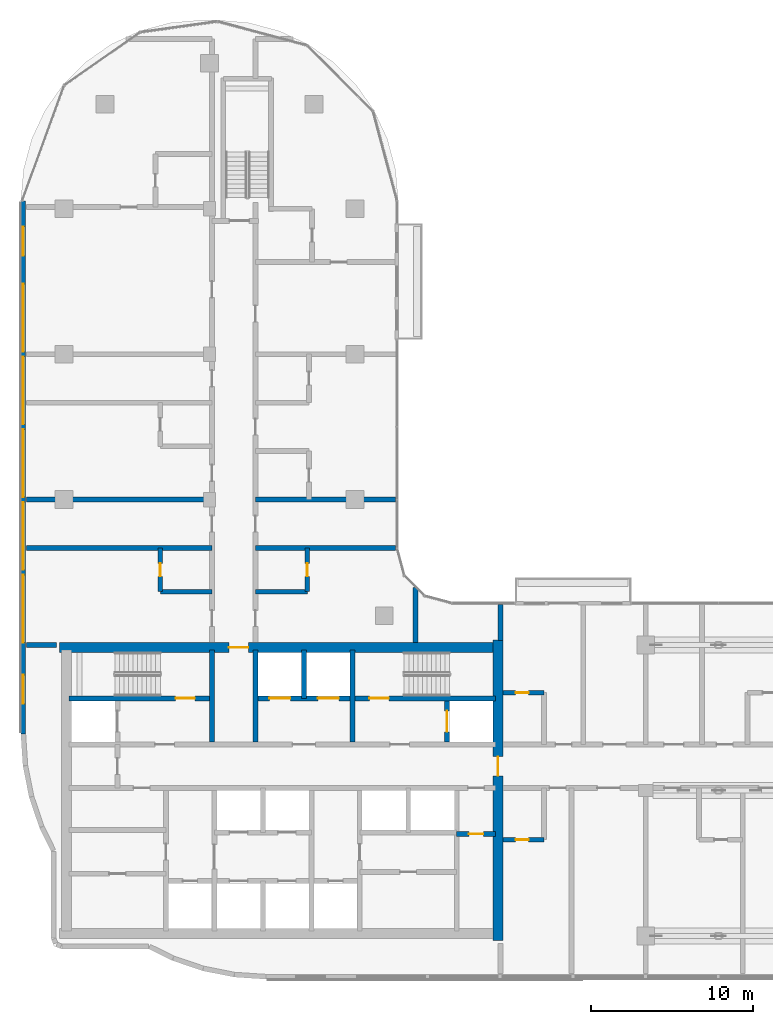
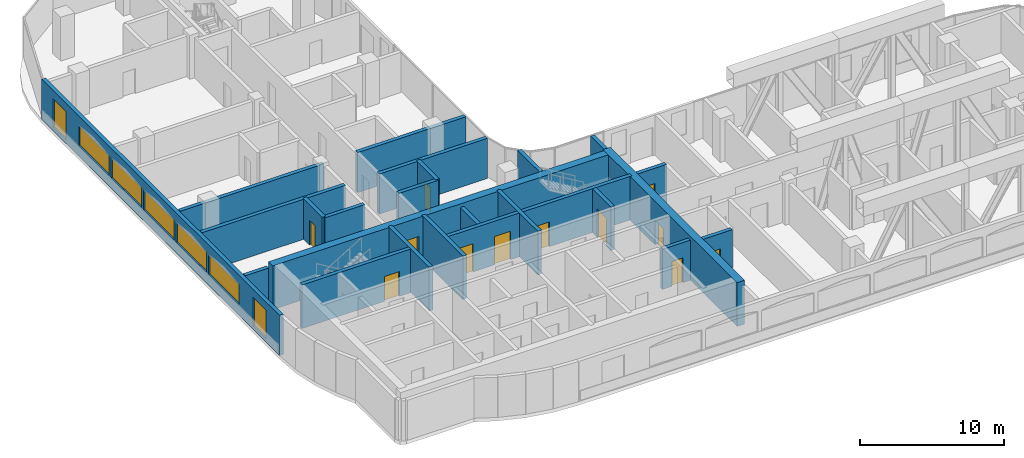
# One storey, part 10 of 25: 24 walls, 12 doors, 7 windows, 19 openings.
"""IFC4 building model written with IfcOpenShell, lengths in metres."""

from ifc_helpers import new_model, si_unit, direction, frame, frame_2d, origin, place, context, subcontext, project, spatial, rectangle, extrude, material, layer, layer_set, type_object, element, fill, save


model = new_model("IFC4")

# Units and contexts
model_context = context("Model", 3, precision=1e-05, world=origin(), true_north=direction((0.0, 1.0)))
body_context = subcontext(model_context, "Body", "Model", "MODEL_VIEW")
ifc_project = project(units=[si_unit("LENGTHUNIT", "METRE"), si_unit("AREAUNIT", "SQUARE_METRE"), si_unit("VOLUMEUNIT", "CUBIC_METRE"), si_unit("PLANEANGLEUNIT", "RADIAN"), si_unit("MASSUNIT", "GRAM", prefix="KILO")], contexts=[model_context])

# Site, building, storey
site_placement = place(None, origin())
site = spatial("IfcSite", under=ifc_project, at=site_placement, CompositionType="ELEMENT")
building_placement = place(site_placement, origin())
building = spatial("IfcBuilding", under=site, at=building_placement, Name="Ogive Portal Towers", CompositionType="ELEMENT")
storey_placement = place(building_placement, frame((0.0, 0.0, 182.89990234375)))
storey = spatial("IfcBuildingStorey", under=building, at=storey_placement, Name="L45", CompositionType="ELEMENT", Elevation=182.89990234375)

# Wall, opening, door
ifc_material_1 = material(Name="Concrete C60/75", Category="concrete")
ifc_layer_1 = layer(ifc_material_1, 0.300048828125)
ifc_layer_set_1 = layer_set([ifc_layer_1], Name="CORE WALL 300 C60")
wall_type_1 = type_object("IfcWallType", Name="CORE WALL 300 C60", PredefinedType="SHEAR", material=ifc_layer_set_1)
wall_1_placement = place(storey_placement, frame((31.800048828125, 36.199951171875, 0.0), z_axis=(0.0, 0.0, 1.0), x_axis=(1.0, 0.0, 0.0)))
wall_1 = element("IfcWall", 1, at=wall_1_placement, inside=storey, type_object=wall_type_1, Name="Core wall Y3a L45", PredefinedType="SHEAR", context=body_context, shape_type="SweptSolid", body=[
    extrude(rectangle(XDim=8.699951171875, YDim=0.300048828125, at=frame_2d((4.35009765625, 0.0))), origin(), (0.0, 0.0, 1.0), 3.7001953125),
])
opening_1_placement = place(wall_1_placement, frame((6.60009765625, 0.0, 0.0)))
opening_1 = element("IfcOpeningElement", 2, at=opening_1_placement, cuts=wall_1, Name="Opening D20-005", PredefinedType="OPENING", context=body_context, shape_type="SweptSolid", body=[
    extrude(rectangle(XDim=1.199951171875, YDim=2.10009765625, at=frame_2d((0.60009765625, 1.050048828125))), frame((0.0, 0.16015625, 0.0), z_axis=(0.0, -1.0, 0.0), x_axis=(1.0, 0.0, 0.0)), (0.0, 0.0, 1.0), 0.320068359375),
])
ifc_material_2 = material(Name="Steel fire door", Category="steel")
door_type_1 = type_object("IfcDoorType", Name="DT-SWING-1200x2100-FD90S", OperationType="SINGLE_SWING_LEFT", PredefinedType="DOOR", material=ifc_material_2)
door_1_placement = place(opening_1_placement, origin())
door_1 = element("IfcDoor", 3, at=door_1_placement, inside=storey, type_object=door_type_1, Name="Door D20-005", OperationType="SINGLE_SWING_RIGHT", OverallHeight=2.10009765625, OverallWidth=1.199951171875, PredefinedType="DOOR", context=body_context, shape_type="SweptSolid", body=[
    extrude(rectangle(XDim=1.199951171875, YDim=2.10009765625, at=frame_2d((0.60009765625, 1.050048828125))), frame((0.0, 0.02490234375, 0.0), z_axis=(0.0, -1.0, 0.0), x_axis=(1.0, 0.0, 0.0)), (0.0, 0.0, 1.0), 0.050048828125),
])
fill(opening_1, door_1)

# Wall, openings, doors
wall_2_placement = place(storey_placement, frame((43.5, 36.199951171875, 0.0), z_axis=(0.0, 0.0, 1.0), x_axis=(1.0, 0.0, 0.0)))
wall_2 = element("IfcWall", 4, at=wall_2_placement, inside=storey, type_object=wall_type_1, Name="Core wall Y3b L45", PredefinedType="SHEAR", context=body_context, shape_type="SweptSolid", body=[
    extrude(rectangle(XDim=14.699951171875, YDim=0.300048828125, at=frame_2d((7.35009765625, 0.0))), origin(), (0.0, 0.0, 1.0), 3.7001953125),
])
opening_2_placement = place(wall_2_placement, frame((6.89990234375, 0.0, 0.0)))
opening_2 = element("IfcOpeningElement", 5, at=opening_2_placement, cuts=wall_2, Name="Opening D20-006", PredefinedType="OPENING", context=body_context, shape_type="SweptSolid", body=[
    extrude(rectangle(XDim=1.199951171875, YDim=2.10009765625, at=frame_2d((0.60009765625, 1.050048828125))), frame((0.0, 0.16015625, 0.0), z_axis=(0.0, -1.0, 0.0), x_axis=(1.0, 0.0, 0.0)), (0.0, 0.0, 1.0), 0.320068359375),
])
opening_3_placement = place(wall_2_placement, frame((0.699951171875, 0.0, 0.0)))
opening_3 = element("IfcOpeningElement", 6, at=opening_3_placement, cuts=wall_2, Name="Opening D20-017", PredefinedType="OPENING", context=body_context, shape_type="SweptSolid", body=[
    extrude(rectangle(XDim=1.300048828125, YDim=2.39990234375, at=frame_2d((0.64990234375, 1.199951171875))), frame((0.0, 0.16015625, 0.0), z_axis=(0.0, -1.0, 0.0), x_axis=(1.0, 0.0, 0.0)), (0.0, 0.0, 1.0), 0.320068359375),
])
opening_4_placement = place(wall_2_placement, frame((3.699951171875, 0.0, 0.0)))
opening_4 = element("IfcOpeningElement", 7, at=opening_4_placement, cuts=wall_2, Name="Opening D20-018", PredefinedType="OPENING", context=body_context, shape_type="SweptSolid", body=[
    extrude(rectangle(XDim=1.300048828125, YDim=2.39990234375, at=frame_2d((0.64990234375, 1.199951171875))), frame((0.0, 0.16015625, 0.0), z_axis=(0.0, -1.0, 0.0), x_axis=(1.0, 0.0, 0.0)), (0.0, 0.0, 1.0), 0.320068359375),
])
ifc_material_3 = material(Name="Stainless steel", Category="steel")
door_type_2 = type_object("IfcDoorType", Name="DT-LD-1300x2400", OperationType="SLIDING_TO_LEFT", PredefinedType="DOOR", material=ifc_material_3)
door_2_placement = place(opening_3_placement, origin())
door_2 = element("IfcDoor", 8, at=door_2_placement, inside=storey, type_object=door_type_2, Name="Door D20-017", OperationType="SLIDING_TO_LEFT", OverallHeight=2.39990234375, OverallWidth=1.300048828125, PredefinedType="DOOR", context=body_context, shape_type="SweptSolid", body=[
    extrude(rectangle(XDim=1.300048828125, YDim=2.39990234375, at=frame_2d((0.64990234375, 1.199951171875))), frame((0.0, 0.02490234375, 0.0), z_axis=(0.0, -1.0, 0.0), x_axis=(1.0, 0.0, 0.0)), (0.0, 0.0, 1.0), 0.050048828125),
])
fill(opening_3, door_2)
door_3_placement = place(opening_4_placement, origin())
door_3 = element("IfcDoor", 9, at=door_3_placement, inside=storey, type_object=door_type_2, Name="Door D20-018", OperationType="SLIDING_TO_LEFT", OverallHeight=2.39990234375, OverallWidth=1.300048828125, PredefinedType="DOOR", context=body_context, shape_type="SweptSolid", body=[
    extrude(rectangle(XDim=1.300048828125, YDim=2.39990234375, at=frame_2d((0.64990234375, 1.199951171875))), frame((0.0, 0.02490234375, 0.0), z_axis=(0.0, -1.0, 0.0), x_axis=(1.0, 0.0, 0.0)), (0.0, 0.0, 1.0), 0.050048828125),
])
fill(opening_4, door_3)
door_4_placement = place(opening_2_placement, origin())
door_4 = element("IfcDoor", 10, at=door_4_placement, inside=storey, type_object=door_type_1, Name="Door D20-006", OperationType="SINGLE_SWING_LEFT", OverallHeight=2.10009765625, OverallWidth=1.199951171875, PredefinedType="DOOR", context=body_context, shape_type="SweptSolid", body=[
    extrude(rectangle(XDim=1.199951171875, YDim=2.10009765625, at=frame_2d((0.60009765625, 1.050048828125))), frame((0.0, 0.02490234375, 0.0), z_axis=(0.0, -1.0, 0.0), x_axis=(1.0, 0.0, 0.0)), (0.0, 0.0, 1.0), 0.050048828125),
])
fill(opening_2, door_4)

# Walls
for number, where, z_axis, x_axis, name in (
    (11, (40.64990234375, 33.5, 0.0), (0.0, 0.0, 1.0), (0.0, 1.0, 0.0), "Core wall X6 L45"),
    (12, (43.35009765625, 33.5, 0.0), (0.0, 0.0, 1.0), (0.0, 1.0, 0.0), "Core wall X7 L45"),
    (13, (49.35009765625, 33.5, 0.0), (0.0, 0.0, 1.0), (0.0, 1.0, 0.0), "Core wall X9 L45"),
):
    element("IfcWall", number, at=place(storey_placement, frame(where, z_axis=z_axis, x_axis=x_axis)), inside=storey, type_object=wall_type_1, Name=name, PredefinedType="SHEAR", context=body_context, shape_type="SweptSolid", body=[
        extrude(rectangle(XDim=5.699951171875, YDim=0.300048828125, at=frame_2d((2.85009765625, 0.0))), origin(), (0.0, 0.0, 1.0), 3.7001953125),
    ])

# Wall, opening, door
wall_3_placement = place(storey_placement, frame((55.199951171875, 33.5, 0.0), z_axis=(0.0, 0.0, 1.0), x_axis=(0.0, 1.0, 0.0)))
wall_3 = element("IfcWall", 14, at=wall_3_placement, inside=storey, type_object=wall_type_1, Name="Core wall X10 L45", PredefinedType="SHEAR", context=body_context, shape_type="SweptSolid", body=[
    extrude(rectangle(XDim=2.550048828125, YDim=0.300048828125, at=frame_2d((1.27490234375, 0.0))), origin(), (0.0, 0.0, 1.0), 3.7001953125),
])
opening_5_placement = place(wall_3_placement, frame((0.625, 0.0, 0.0)))
opening_5 = element("IfcOpeningElement", 15, at=opening_5_placement, cuts=wall_3, Name="Opening D20-020", PredefinedType="OPENING", context=body_context, shape_type="SweptSolid", body=[
    extrude(rectangle(XDim=1.300048828125, YDim=2.39990234375, at=frame_2d((0.64990234375, 1.199951171875))), frame((0.0, 0.16015625, 0.0), z_axis=(0.0, -1.0, 0.0), x_axis=(1.0, 0.0, 0.0)), (0.0, 0.0, 1.0), 0.320068359375),
])
door_5_placement = place(opening_5_placement, origin())
door_5 = element("IfcDoor", 16, at=door_5_placement, inside=storey, type_object=door_type_2, Name="Door D20-020", OperationType="SLIDING_TO_LEFT", OverallHeight=2.39990234375, OverallWidth=1.300048828125, PredefinedType="DOOR", context=body_context, shape_type="SweptSolid", body=[
    extrude(rectangle(XDim=1.300048828125, YDim=2.39990234375, at=frame_2d((0.64990234375, 1.199951171875))), frame((0.0, 0.02490234375, 0.0), z_axis=(0.0, -1.0, 0.0), x_axis=(1.0, 0.0, 0.0)), (0.0, 0.0, 1.0), 0.050048828125),
])
fill(opening_5, door_5)

ifc_layer_2 = layer(ifc_material_1, 0.60009765625)
ifc_layer_set_2 = layer_set([ifc_layer_2], Name="CORE WALL 600 C60")
wall_type_2 = type_object("IfcWallType", Name="CORE WALL 600 C60", PredefinedType="SHEAR", material=ifc_layer_set_2)
wall_4_placement = place(storey_placement, frame((58.35009765625, 21.199951171875, 0.0), z_axis=(0.0, 0.0, 1.0), x_axis=(0.0, 1.0, 0.0)))
wall_4 = element("IfcWall", 17, at=wall_4_placement, inside=storey, type_object=wall_type_2, Name="Core wall E L45", PredefinedType="SHEAR", context=body_context, shape_type="SweptSolid", body=[
    extrude(rectangle(XDim=18.60009765625, YDim=0.60009765625, at=frame_2d((9.300048828125, 0.0))), origin(), (0.0, 0.0, 1.0), 3.7001953125),
])
opening_6_placement = place(wall_4_placement, frame((10.199951171875, 0.0, 0.0)))
opening_6 = element("IfcOpeningElement", 18, at=opening_6_placement, cuts=wall_4, Name="Opening D20-011", PredefinedType="OPENING", context=body_context, shape_type="SweptSolid", body=[
    extrude(rectangle(XDim=1.199951171875, YDim=2.10009765625, at=frame_2d((0.60009765625, 1.050048828125))), frame((0.0, 0.31005859375, 0.0), z_axis=(0.0, -1.0, 0.0), x_axis=(1.0, 0.0, 0.0)), (0.0, 0.0, 1.0), 0.6201171875),
])
door_6_placement = place(opening_6_placement, origin())
door_6 = element("IfcDoor", 19, at=door_6_placement, inside=storey, type_object=door_type_1, Name="Door D20-011", OperationType="SINGLE_SWING_LEFT", OverallHeight=2.10009765625, OverallWidth=1.199951171875, PredefinedType="DOOR", context=body_context, shape_type="SweptSolid", body=[
    extrude(rectangle(XDim=1.199951171875, YDim=2.10009765625, at=frame_2d((0.60009765625, 1.050048828125))), frame((0.0, 0.02490234375, 0.0), z_axis=(0.0, -1.0, 0.0), x_axis=(1.0, 0.0, 0.0)), (0.0, 0.0, 1.0), 0.050048828125),
])
fill(opening_6, door_6)

wall_5_placement = place(storey_placement, frame((31.199951171875, 39.35009765625, 0.0), z_axis=(0.0, 0.0, 1.0), x_axis=(1.0, 0.0, 0.0)))
wall_5 = element("IfcWall", 20, at=wall_5_placement, inside=storey, type_object=wall_type_2, Name="Core wall N L45", PredefinedType="SHEAR", context=body_context, shape_type="SweptSolid", body=[
    extrude(rectangle(XDim=27.0, YDim=0.60009765625, at=frame_2d((13.5, 0.0))), origin(), (0.0, 0.0, 1.0), 3.7001953125),
])
opening_7_placement = place(wall_5_placement, frame((10.5, 0.0, 0.0)))
opening_7 = element("IfcOpeningElement", 21, at=opening_7_placement, cuts=wall_5, Name="Opening D20-012", PredefinedType="OPENING", context=body_context, shape_type="SweptSolid", body=[
    extrude(rectangle(XDim=1.199951171875, YDim=2.10009765625, at=frame_2d((0.60009765625, 1.050048828125))), frame((0.0, 0.31005859375, 0.0), z_axis=(0.0, -1.0, 0.0), x_axis=(1.0, 0.0, 0.0)), (0.0, 0.0, 1.0), 0.6201171875),
])
door_7_placement = place(opening_7_placement, origin())
door_7 = element("IfcDoor", 22, at=door_7_placement, inside=storey, type_object=door_type_1, Name="Door D20-012", OperationType="SINGLE_SWING_RIGHT", OverallHeight=2.10009765625, OverallWidth=1.199951171875, PredefinedType="DOOR", context=body_context, shape_type="SweptSolid", body=[
    extrude(rectangle(XDim=1.199951171875, YDim=2.10009765625, at=frame_2d((0.60009765625, 1.050048828125))), frame((0.0, 0.02490234375, 0.0), z_axis=(0.0, -1.0, 0.0), x_axis=(1.0, 0.0, 0.0)), (0.0, 0.0, 1.0), 0.050048828125),
])
fill(opening_7, door_7)

# Wall, openings, windows
ifc_material_4 = material(Name="Limestone cladding on lightweight block wall", Category="masonry")
ifc_layer_3 = layer(ifc_material_4, 0.300048828125)
ifc_layer_set_3 = layer_set([ifc_layer_3], Name="EXTERNAL WALL 300 STONE")
wall_type_3 = type_object("IfcWallType", Name="EXTERNAL WALL 300 STONE", PredefinedType="SOLIDWALL", material=ifc_layer_set_3)
wall_6_placement = place(storey_placement, frame((28.969970703125, 66.98583984375, 0.0), z_axis=(0.0, 0.0, 1.0), x_axis=(0.0, -1.0, 0.0)))
wall_6 = element("IfcWall", 23, at=wall_6_placement, inside=storey, type_object=wall_type_3, Name="A:L45:f27:r0:wall", PredefinedType="SOLIDWALL", context=body_context, shape_type="SweptSolid", body=[
    extrude(rectangle(XDim=32.97607421875, YDim=0.300048828125, at=frame_2d((16.488037109375, 0.0))), origin(), (0.0, 0.0, 1.0), 3.400146484375),
])
opening_8_placement = place(wall_6_placement, frame((1.593017578125, 0.0, 0.300048828125)))
opening_8 = element("IfcOpeningElement", 24, at=opening_8_placement, cuts=wall_6, Name="Opening WN10", PredefinedType="OPENING", context=body_context, shape_type="SweptSolid", body=[
    extrude(rectangle(XDim=1.800048828125, YDim=2.39990234375, at=frame_2d((0.89990234375, 1.199951171875))), frame((0.0, 0.16015625, 0.0), z_axis=(0.0, -1.0, 0.0), x_axis=(1.0, 0.0, 0.0)), (0.0, 0.0, 1.0), 0.320068359375),
])
opening_9_placement = place(wall_6_placement, frame((5.135986328125, 0.0, 0.89990234375)))
opening_9 = element("IfcOpeningElement", 25, at=opening_9_placement, cuts=wall_6, Name="Opening WN13", PredefinedType="OPENING", context=body_context, shape_type="SweptSolid", body=[
    extrude(rectangle(XDim=4.199951171875, YDim=1.699951171875, at=frame_2d((2.10009765625, 0.85009765625))), frame((0.0, 0.16015625, 0.0), z_axis=(0.0, -1.0, 0.0), x_axis=(1.0, 0.0, 0.0)), (0.0, 0.0, 1.0), 0.320068359375),
])
opening_10_placement = place(wall_6_placement, frame((9.635986328125, 0.0, 0.89990234375)))
opening_10 = element("IfcOpeningElement", 26, at=opening_10_placement, cuts=wall_6, Name="Opening WN13", PredefinedType="OPENING", context=body_context, shape_type="SweptSolid", body=[
    extrude(rectangle(XDim=4.199951171875, YDim=1.699951171875, at=frame_2d((2.10009765625, 0.85009765625))), frame((0.0, 0.16015625, 0.0), z_axis=(0.0, -1.0, 0.0), x_axis=(1.0, 0.0, 0.0)), (0.0, 0.0, 1.0), 0.320068359375),
])
opening_11_placement = place(wall_6_placement, frame((14.135986328125, 0.0, 0.89990234375)))
opening_11 = element("IfcOpeningElement", 27, at=opening_11_placement, cuts=wall_6, Name="Opening WN13", PredefinedType="OPENING", context=body_context, shape_type="SweptSolid", body=[
    extrude(rectangle(XDim=4.199951171875, YDim=1.699951171875, at=frame_2d((2.10009765625, 0.85009765625))), frame((0.0, 0.16015625, 0.0), z_axis=(0.0, -1.0, 0.0), x_axis=(1.0, 0.0, 0.0)), (0.0, 0.0, 1.0), 0.320068359375),
])
opening_12_placement = place(wall_6_placement, frame((18.635986328125, 0.0, 0.89990234375)))
opening_12 = element("IfcOpeningElement", 28, at=opening_12_placement, cuts=wall_6, Name="Opening WN13", PredefinedType="OPENING", context=body_context, shape_type="SweptSolid", body=[
    extrude(rectangle(XDim=4.199951171875, YDim=1.699951171875, at=frame_2d((2.10009765625, 0.85009765625))), frame((0.0, 0.16015625, 0.0), z_axis=(0.0, -1.0, 0.0), x_axis=(1.0, 0.0, 0.0)), (0.0, 0.0, 1.0), 0.320068359375),
])
opening_13_placement = place(wall_6_placement, frame((23.135986328125, 0.0, 0.89990234375)))
opening_13 = element("IfcOpeningElement", 29, at=opening_13_placement, cuts=wall_6, Name="Opening WN13", PredefinedType="OPENING", context=body_context, shape_type="SweptSolid", body=[
    extrude(rectangle(XDim=4.199951171875, YDim=1.699951171875, at=frame_2d((2.10009765625, 0.85009765625))), frame((0.0, 0.16015625, 0.0), z_axis=(0.0, -1.0, 0.0), x_axis=(1.0, 0.0, 0.0)), (0.0, 0.0, 1.0), 0.320068359375),
])
opening_14_placement = place(wall_6_placement, frame((29.3310546875, 0.0, 0.300048828125)))
opening_14 = element("IfcOpeningElement", 30, at=opening_14_placement, cuts=wall_6, Name="Opening WN10", PredefinedType="OPENING", context=body_context, shape_type="SweptSolid", body=[
    extrude(rectangle(XDim=1.800048828125, YDim=2.39990234375, at=frame_2d((0.89990234375, 1.199951171875))), frame((0.0, 0.16015625, 0.0), z_axis=(0.0, -1.0, 0.0), x_axis=(1.0, 0.0, 0.0)), (0.0, 0.0, 1.0), 0.320068359375),
])
ifc_material_5 = material(Name="Glass, clear low-iron insulated glazing", Category="glass")
window_type_1 = type_object("IfcWindowType", Name="WINDOW RIBBON LANCET 4200x1700", PartitioningType="TRIPLE_PANEL_VERTICAL", PredefinedType="WINDOW", material=ifc_material_5)
window_1_placement = place(opening_9_placement, origin())
window_1 = element("IfcWindow", 31, at=window_1_placement, inside=storey, type_object=window_type_1, Name="A:L45:f27:r0:w1", OverallHeight=1.699951171875, OverallWidth=4.199951171875, PartitioningType="SINGLE_PANEL", PredefinedType="WINDOW", context=body_context, shape_type="SweptSolid", body=[
    extrude(rectangle(XDim=4.199951171875, YDim=1.699951171875, at=frame_2d((2.10009765625, 0.85009765625))), frame((0.0, 0.030029296875, 0.0), z_axis=(0.0, -1.0, 0.0), x_axis=(1.0, 0.0, 0.0)), (0.0, 0.0, 1.0), 0.06005859375),
])
fill(opening_9, window_1)
window_2_placement = place(opening_10_placement, origin())
window_2 = element("IfcWindow", 32, at=window_2_placement, inside=storey, type_object=window_type_1, Name="A:L45:f27:r0:w2", OverallHeight=1.699951171875, OverallWidth=4.199951171875, PartitioningType="SINGLE_PANEL", PredefinedType="WINDOW", context=body_context, shape_type="SweptSolid", body=[
    extrude(rectangle(XDim=4.199951171875, YDim=1.699951171875, at=frame_2d((2.10009765625, 0.85009765625))), frame((0.0, 0.030029296875, 0.0), z_axis=(0.0, -1.0, 0.0), x_axis=(1.0, 0.0, 0.0)), (0.0, 0.0, 1.0), 0.06005859375),
])
fill(opening_10, window_2)
window_3_placement = place(opening_11_placement, origin())
window_3 = element("IfcWindow", 33, at=window_3_placement, inside=storey, type_object=window_type_1, Name="A:L45:f27:r0:w3", OverallHeight=1.699951171875, OverallWidth=4.199951171875, PartitioningType="SINGLE_PANEL", PredefinedType="WINDOW", context=body_context, shape_type="SweptSolid", body=[
    extrude(rectangle(XDim=4.199951171875, YDim=1.699951171875, at=frame_2d((2.10009765625, 0.85009765625))), frame((0.0, 0.030029296875, 0.0), z_axis=(0.0, -1.0, 0.0), x_axis=(1.0, 0.0, 0.0)), (0.0, 0.0, 1.0), 0.06005859375),
])
fill(opening_11, window_3)
window_4_placement = place(opening_12_placement, origin())
window_4 = element("IfcWindow", 34, at=window_4_placement, inside=storey, type_object=window_type_1, Name="A:L45:f27:r0:w4", OverallHeight=1.699951171875, OverallWidth=4.199951171875, PartitioningType="SINGLE_PANEL", PredefinedType="WINDOW", context=body_context, shape_type="SweptSolid", body=[
    extrude(rectangle(XDim=4.199951171875, YDim=1.699951171875, at=frame_2d((2.10009765625, 0.85009765625))), frame((0.0, 0.030029296875, 0.0), z_axis=(0.0, -1.0, 0.0), x_axis=(1.0, 0.0, 0.0)), (0.0, 0.0, 1.0), 0.06005859375),
])
fill(opening_12, window_4)
window_5_placement = place(opening_13_placement, origin())
window_5 = element("IfcWindow", 35, at=window_5_placement, inside=storey, type_object=window_type_1, Name="A:L45:f27:r0:w5", OverallHeight=1.699951171875, OverallWidth=4.199951171875, PartitioningType="SINGLE_PANEL", PredefinedType="WINDOW", context=body_context, shape_type="SweptSolid", body=[
    extrude(rectangle(XDim=4.199951171875, YDim=1.699951171875, at=frame_2d((2.10009765625, 0.85009765625))), frame((0.0, 0.030029296875, 0.0), z_axis=(0.0, -1.0, 0.0), x_axis=(1.0, 0.0, 0.0)), (0.0, 0.0, 1.0), 0.06005859375),
])
fill(opening_13, window_5)
window_type_2 = type_object("IfcWindowType", Name="WINDOW SUITE CORNER 1800x2400", PartitioningType="DOUBLE_PANEL_VERTICAL", PredefinedType="WINDOW", material=ifc_material_5)
window_6_placement = place(opening_8_placement, origin())
window_6 = element("IfcWindow", 36, at=window_6_placement, inside=storey, type_object=window_type_2, Name="A:L45:f27:r0:w0", OverallHeight=2.39990234375, OverallWidth=1.800048828125, PartitioningType="SINGLE_PANEL", PredefinedType="WINDOW", context=body_context, shape_type="SweptSolid", body=[
    extrude(rectangle(XDim=1.800048828125, YDim=2.39990234375, at=frame_2d((0.89990234375, 1.199951171875))), frame((0.0, 0.030029296875, 0.0), z_axis=(0.0, -1.0, 0.0), x_axis=(1.0, 0.0, 0.0)), (0.0, 0.0, 1.0), 0.06005859375),
])
fill(opening_8, window_6)
window_7_placement = place(opening_14_placement, origin())
window_7 = element("IfcWindow", 37, at=window_7_placement, inside=storey, type_object=window_type_2, Name="A:L45:f27:r0:w6", OverallHeight=2.39990234375, OverallWidth=1.800048828125, PartitioningType="SINGLE_PANEL", PredefinedType="WINDOW", context=body_context, shape_type="SweptSolid", body=[
    extrude(rectangle(XDim=1.800048828125, YDim=2.39990234375, at=frame_2d((0.89990234375, 1.199951171875))), frame((0.0, 0.030029296875, 0.0), z_axis=(0.0, -1.0, 0.0), x_axis=(1.0, 0.0, 0.0)), (0.0, 0.0, 1.0), 0.06005859375),
])
fill(opening_14, window_7)

# Wall, opening, door
ifc_material_6 = material(Name="Gypsum board partition on steel studs", Category="steel")
ifc_layer_4 = layer(ifc_material_6, 0.300048828125)
ifc_layer_set_4 = layer_set([ifc_layer_4], Name="WT-PART-300")
wall_type_4 = type_object("IfcWallType", Name="WT-PART-300", PredefinedType="PARTITIONING", material=ifc_layer_set_4)
wall_7_placement = place(storey_placement, frame((55.800048828125, 27.800048828125, 0.0), z_axis=(0.0, 0.0, 1.0), x_axis=(1.0, 0.0, 0.0)))
wall_7 = element("IfcWall", 38, at=wall_7_placement, inside=storey, type_object=wall_type_4, Name="Wall pw:004:L45", PredefinedType="PARTITIONING", context=body_context, shape_type="SweptSolid", body=[
    extrude(rectangle(XDim=2.39990234375, YDim=0.300048828125, at=frame_2d((1.199951171875, 0.0))), origin(), (0.0, 0.0, 1.0), 3.400146484375),
])
opening_15_placement = place(wall_7_placement, frame((0.75, 0.0, 0.0)))
opening_15 = element("IfcOpeningElement", 39, at=opening_15_placement, cuts=wall_7, Name="Opening D20-010", PredefinedType="OPENING", context=body_context, shape_type="SweptSolid", body=[
    extrude(rectangle(XDim=0.89990234375, YDim=2.10009765625, at=frame_2d((0.449951171875, 1.050048828125))), frame((0.0, 0.16015625, 0.0), z_axis=(0.0, -1.0, 0.0), x_axis=(1.0, 0.0, 0.0)), (0.0, 0.0, 1.0), 0.320068359375),
])
door_type_3 = type_object("IfcDoorType", Name="DT-SWING-900x2100-FD60S", OperationType="SINGLE_SWING_LEFT", PredefinedType="DOOR", material=ifc_material_2)
door_8_placement = place(opening_15_placement, origin())
door_8 = element("IfcDoor", 40, at=door_8_placement, inside=storey, type_object=door_type_3, Name="Door D20-010", OperationType="SINGLE_SWING_RIGHT", OverallHeight=2.10009765625, OverallWidth=0.89990234375, PredefinedType="DOOR", context=body_context, shape_type="SweptSolid", body=[
    extrude(rectangle(XDim=0.89990234375, YDim=2.10009765625, at=frame_2d((0.449951171875, 1.050048828125))), frame((0.0, 0.02490234375, 0.0), z_axis=(0.0, -1.0, 0.0), x_axis=(1.0, 0.0, 0.0)), (0.0, 0.0, 1.0), 0.050048828125),
])
fill(opening_15, door_8)

ifc_layer_5 = layer(ifc_material_6, 0.300048828125)
ifc_layer_set_5 = layer_set([ifc_layer_5], Name="WT-PART-300-EI 60")
wall_type_5 = type_object("IfcWallType", Name="WT-PART-300-EI 60", PredefinedType="PARTITIONING", material=ifc_layer_set_5)
wall_8_placement = place(storey_placement, frame((58.64990234375, 27.449951171875, 0.0), z_axis=(0.0, 0.0, 1.0), x_axis=(1.0, 0.0, 0.0)))
wall_8 = element("IfcWall", 41, at=wall_8_placement, inside=storey, type_object=wall_type_5, Name="Wall L45:w003", PredefinedType="PARTITIONING", context=body_context, shape_type="SweptSolid", body=[
    extrude(rectangle(XDim=2.550048828125, YDim=0.300048828125, at=frame_2d((1.27490234375, 0.0))), origin(), (0.0, 0.0, 1.0), 3.400146484375),
])
opening_16_placement = place(wall_8_placement, frame((0.800048828125, 0.0, 0.0)))
opening_16 = element("IfcOpeningElement", 42, at=opening_16_placement, cuts=wall_8, Name="Opening D20-030", PredefinedType="OPENING", context=body_context, shape_type="SweptSolid", body=[
    extrude(rectangle(XDim=0.800048828125, YDim=2.10009765625, at=frame_2d((0.39990234375, 1.050048828125))), frame((0.0, 0.16015625, 0.0), z_axis=(0.0, -1.0, 0.0), x_axis=(1.0, 0.0, 0.0)), (0.0, 0.0, 1.0), 0.320068359375),
])
door_type_4 = type_object("IfcDoorType", Name="DT-BATH-800x2100-FD60S", OperationType="SINGLE_SWING_LEFT", PredefinedType="DOOR", material=ifc_material_2)
door_9_placement = place(opening_16_placement, origin())
door_9 = element("IfcDoor", 43, at=door_9_placement, inside=storey, type_object=door_type_4, Name="Door D20-030", OperationType="SINGLE_SWING_LEFT", OverallHeight=2.10009765625, OverallWidth=0.800048828125, PredefinedType="DOOR", context=body_context, shape_type="SweptSolid", body=[
    extrude(rectangle(XDim=0.800048828125, YDim=2.10009765625, at=frame_2d((0.39990234375, 1.050048828125))), frame((0.0, 0.02490234375, 0.0), z_axis=(0.0, -1.0, 0.0), x_axis=(1.0, 0.0, 0.0)), (0.0, 0.0, 1.0), 0.050048828125),
])
fill(opening_16, door_9)

wall_9_placement = place(storey_placement, frame((58.64990234375, 36.550048828125, 0.0), z_axis=(0.0, 0.0, 1.0), x_axis=(1.0, 0.0, 0.0)))
wall_9 = element("IfcWall", 44, at=wall_9_placement, inside=storey, type_object=wall_type_5, Name="Wall L45:w009", PredefinedType="PARTITIONING", context=body_context, shape_type="SweptSolid", body=[
    extrude(rectangle(XDim=2.550048828125, YDim=0.300048828125, at=frame_2d((1.27490234375, 0.0))), origin(), (0.0, 0.0, 1.0), 3.400146484375),
])
opening_17_placement = place(wall_9_placement, frame((0.800048828125, 0.0, 0.0)))
opening_17 = element("IfcOpeningElement", 45, at=opening_17_placement, cuts=wall_9, Name="Opening D20-027", PredefinedType="OPENING", context=body_context, shape_type="SweptSolid", body=[
    extrude(rectangle(XDim=0.800048828125, YDim=2.10009765625, at=frame_2d((0.39990234375, 1.050048828125))), frame((0.0, 0.16015625, 0.0), z_axis=(0.0, -1.0, 0.0), x_axis=(1.0, 0.0, 0.0)), (0.0, 0.0, 1.0), 0.320068359375),
])
door_10_placement = place(opening_17_placement, origin())
door_10 = element("IfcDoor", 46, at=door_10_placement, inside=storey, type_object=door_type_4, Name="Door D20-027", OperationType="SINGLE_SWING_LEFT", OverallHeight=2.10009765625, OverallWidth=0.800048828125, PredefinedType="DOOR", context=body_context, shape_type="SweptSolid", body=[
    extrude(rectangle(XDim=0.800048828125, YDim=2.10009765625, at=frame_2d((0.39990234375, 1.050048828125))), frame((0.0, 0.02490234375, 0.0), z_axis=(0.0, -1.0, 0.0), x_axis=(1.0, 0.0, 0.0)), (0.0, 0.0, 1.0), 0.050048828125),
])
fill(opening_17, door_10)

# Walls
wall_10_placement = place(storey_placement, frame((29.169921875, 39.5, 0.0), z_axis=(0.0, 0.0, 1.0), x_axis=(1.0, 0.0, 0.0)))
element("IfcWall", 47, at=wall_10_placement, inside=storey, type_object=wall_type_5, Name="Wall L45:w012", PredefinedType="PARTITIONING", context=body_context, shape_type="SweptSolid", body=[
    extrude(rectangle(XDim=1.860107421875, YDim=0.300048828125, at=frame_2d((0.93017578125, 0.0))), origin(), (0.0, 0.0, 1.0), 3.400146484375),
])
for number, where, z_axis, x_axis, name in (
    (48, (37.449951171875, 42.800048828125, 0.0), (0.0, 0.0, 1.0), (1.0, 0.0, 0.0), "Wall L45:w014"),
    (49, (43.35009765625, 42.800048828125, 0.0), (0.0, 0.0, 1.0), (1.0, 0.0, 0.0), "Wall L45:w015"),
):
    element("IfcWall", number, at=place(storey_placement, frame(where, z_axis=z_axis, x_axis=x_axis)), inside=storey, type_object=wall_type_5, Name=name, PredefinedType="PARTITIONING", context=body_context, shape_type="SweptSolid", body=[
        extrude(rectangle(XDim=3.199951171875, YDim=0.300048828125, at=frame_2d((1.60009765625, 0.0))), origin(), (0.0, 0.0, 1.0), 3.400146484375),
    ])
wall_11_placement = place(storey_placement, frame((29.169921875, 45.5, 0.0), z_axis=(0.0, 0.0, 1.0), x_axis=(1.0, 0.0, 0.0)))
element("IfcWall", 50, at=wall_11_placement, inside=storey, type_object=wall_type_5, Name="Wall L45:w016", PredefinedType="PARTITIONING", context=body_context, shape_type="SweptSolid", body=[
    extrude(rectangle(XDim=11.47998046875, YDim=0.300048828125, at=frame_2d((5.739990234375, 0.0))), origin(), (0.0, 0.0, 1.0), 3.400146484375),
])
wall_12_placement = place(storey_placement, frame((43.35009765625, 45.5, 0.0), z_axis=(0.0, 0.0, 1.0), x_axis=(1.0, 0.0, 0.0)))
element("IfcWall", 51, at=wall_12_placement, inside=storey, type_object=wall_type_5, Name="Wall L45:w017", PredefinedType="PARTITIONING", context=body_context, shape_type="SweptSolid", body=[
    extrude(rectangle(XDim=8.659912109375, YDim=0.300048828125, at=frame_2d((4.330078125, 0.0))), origin(), (0.0, 0.0, 1.0), 3.400146484375),
])
wall_13_placement = place(storey_placement, frame((29.169921875, 48.5, 0.0), z_axis=(0.0, 0.0, 1.0), x_axis=(1.0, 0.0, 0.0)))
element("IfcWall", 52, at=wall_13_placement, inside=storey, type_object=wall_type_5, Name="Wall L45:w018", PredefinedType="PARTITIONING", context=body_context, shape_type="SweptSolid", body=[
    extrude(rectangle(XDim=11.47998046875, YDim=0.300048828125, at=frame_2d((5.739990234375, 0.0))), origin(), (0.0, 0.0, 1.0), 3.400146484375),
])
wall_14_placement = place(storey_placement, frame((43.35009765625, 48.5, 0.0), z_axis=(0.0, 0.0, 1.0), x_axis=(1.0, 0.0, 0.0)))
element("IfcWall", 53, at=wall_14_placement, inside=storey, type_object=wall_type_5, Name="Wall L45:w019", PredefinedType="PARTITIONING", context=body_context, shape_type="SweptSolid", body=[
    extrude(rectangle(XDim=8.659912109375, YDim=0.300048828125, at=frame_2d((4.330078125, 0.0))), origin(), (0.0, 0.0, 1.0), 3.400146484375),
])

# Wall, opening, door
wall_15_placement = place(storey_placement, frame((37.449951171875, 42.800048828125, 0.0), z_axis=(0.0, 0.0, 1.0), x_axis=(0.0, 1.0, 0.0)))
wall_15 = element("IfcWall", 54, at=wall_15_placement, inside=storey, type_object=wall_type_5, Name="Wall L45:w035", PredefinedType="PARTITIONING", context=body_context, shape_type="SweptSolid", body=[
    extrude(rectangle(XDim=2.699951171875, YDim=0.300048828125, at=frame_2d((1.35009765625, 0.0))), origin(), (0.0, 0.0, 1.0), 3.400146484375),
])
opening_18_placement = place(wall_15_placement, frame((0.949951171875, 0.0, 0.0)))
opening_18 = element("IfcOpeningElement", 55, at=opening_18_placement, cuts=wall_15, Name="Opening D20-046", PredefinedType="OPENING", context=body_context, shape_type="SweptSolid", body=[
    extrude(rectangle(XDim=0.800048828125, YDim=2.10009765625, at=frame_2d((0.39990234375, 1.050048828125))), frame((0.0, 0.16015625, 0.0), z_axis=(0.0, -1.0, 0.0), x_axis=(1.0, 0.0, 0.0)), (0.0, 0.0, 1.0), 0.320068359375),
])
door_11_placement = place(opening_18_placement, origin())
door_11 = element("IfcDoor", 56, at=door_11_placement, inside=storey, type_object=door_type_4, Name="Door D20-046", OperationType="SINGLE_SWING_RIGHT", OverallHeight=2.10009765625, OverallWidth=0.800048828125, PredefinedType="DOOR", context=body_context, shape_type="SweptSolid", body=[
    extrude(rectangle(XDim=0.800048828125, YDim=2.10009765625, at=frame_2d((0.39990234375, 1.050048828125))), frame((0.0, 0.02490234375, 0.0), z_axis=(0.0, -1.0, 0.0), x_axis=(1.0, 0.0, 0.0)), (0.0, 0.0, 1.0), 0.050048828125),
])
fill(opening_18, door_11)

wall_16_placement = place(storey_placement, frame((46.550048828125, 42.800048828125, 0.0), z_axis=(0.0, 0.0, 1.0), x_axis=(0.0, 1.0, 0.0)))
wall_16 = element("IfcWall", 57, at=wall_16_placement, inside=storey, type_object=wall_type_5, Name="Wall L45:w042", PredefinedType="PARTITIONING", context=body_context, shape_type="SweptSolid", body=[
    extrude(rectangle(XDim=2.699951171875, YDim=0.300048828125, at=frame_2d((1.35009765625, 0.0))), origin(), (0.0, 0.0, 1.0), 3.400146484375),
])
opening_19_placement = place(wall_16_placement, frame((0.949951171875, 0.0, 0.0)))
opening_19 = element("IfcOpeningElement", 58, at=opening_19_placement, cuts=wall_16, Name="Opening D20-043", PredefinedType="OPENING", context=body_context, shape_type="SweptSolid", body=[
    extrude(rectangle(XDim=0.800048828125, YDim=2.10009765625, at=frame_2d((0.39990234375, 1.050048828125))), frame((0.0, 0.16015625, 0.0), z_axis=(0.0, -1.0, 0.0), x_axis=(1.0, 0.0, 0.0)), (0.0, 0.0, 1.0), 0.320068359375),
])
door_12_placement = place(opening_19_placement, origin())
door_12 = element("IfcDoor", 59, at=door_12_placement, inside=storey, type_object=door_type_4, Name="Door D20-043", OperationType="SINGLE_SWING_RIGHT", OverallHeight=2.10009765625, OverallWidth=0.800048828125, PredefinedType="DOOR", context=body_context, shape_type="SweptSolid", body=[
    extrude(rectangle(XDim=0.800048828125, YDim=2.10009765625, at=frame_2d((0.39990234375, 1.050048828125))), frame((0.0, 0.02490234375, 0.0), z_axis=(0.0, -1.0, 0.0), x_axis=(1.0, 0.0, 0.0)), (0.0, 0.0, 1.0), 0.050048828125),
])
fill(opening_19, door_12)

# Walls
wall_17_placement = place(storey_placement, frame((53.25, 39.64990234375, 0.0), z_axis=(0.0, 0.0, 1.0), x_axis=(0.0, 1.0, 0.0)))
element("IfcWall", 60, at=wall_17_placement, inside=storey, type_object=wall_type_5, Name="Wall L45:w046", PredefinedType="PARTITIONING", context=body_context, shape_type="SweptSolid", body=[
    extrude(rectangle(XDim=3.4130859375, YDim=0.300048828125, at=frame_2d((1.70654296875, 0.0))), origin(), (0.0, 0.0, 1.0), 3.400146484375),
])
wall_18_placement = place(storey_placement, frame((58.5, 39.7900390625, 0.0), z_axis=(0.0, 0.0, 1.0), x_axis=(0.0, 1.0, 0.0)))
element("IfcWall", 61, at=wall_18_placement, inside=storey, type_object=wall_type_5, Name="Wall L45:w048", PredefinedType="PARTITIONING", context=body_context, shape_type="SweptSolid", body=[
    extrude(rectangle(XDim=2.219970703125, YDim=0.300048828125, at=frame_2d((1.10986328125, 0.0))), origin(), (0.0, 0.0, 1.0), 3.400146484375),
])
ifc_material_7 = material(Name="Concrete C40/50", Category="concrete")
ifc_layer_6 = layer(ifc_material_7, 0.300048828125)
ifc_layer_set_6 = layer_set([ifc_layer_6], Name="WT-SHAFT-300")
wall_type_6 = type_object("IfcWallType", Name="WT-SHAFT-300", PredefinedType="SOLIDWALL", material=ifc_layer_set_6)
wall_19_placement = place(storey_placement, frame((46.35009765625, 36.199951171875, 0.0), z_axis=(0.0, 0.0, 1.0), x_axis=(0.0, 1.0, 0.0)))
element("IfcWall", 62, at=wall_19_placement, inside=storey, type_object=wall_type_6, Name="Wall pw:011:L45", PredefinedType="SOLIDWALL", context=body_context, shape_type="SweptSolid", body=[
    extrude(rectangle(XDim=3.0, YDim=0.300048828125, at=frame_2d((1.5, 0.0))), origin(), (0.0, 0.0, 1.0), 3.400146484375),
])

save(model, "model.ifc")
